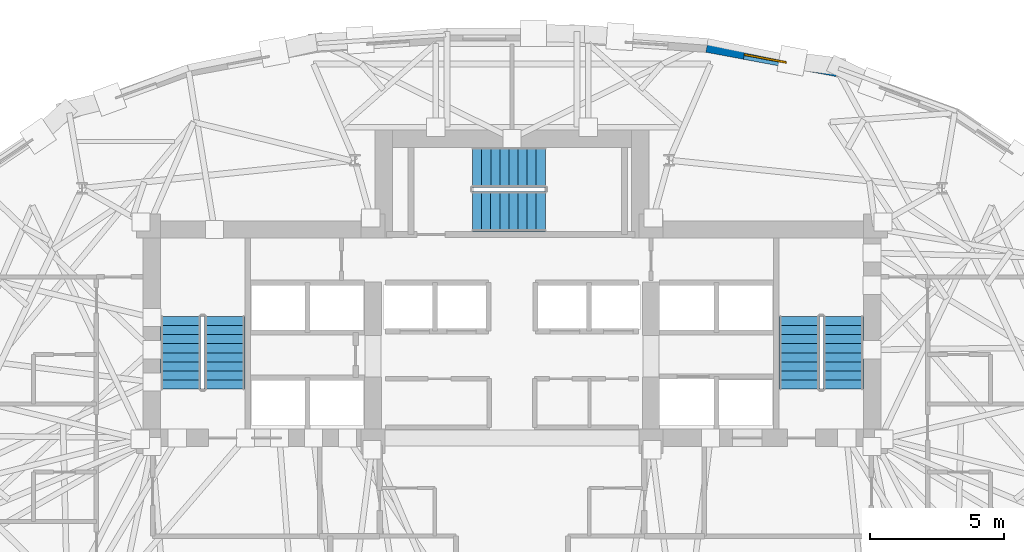
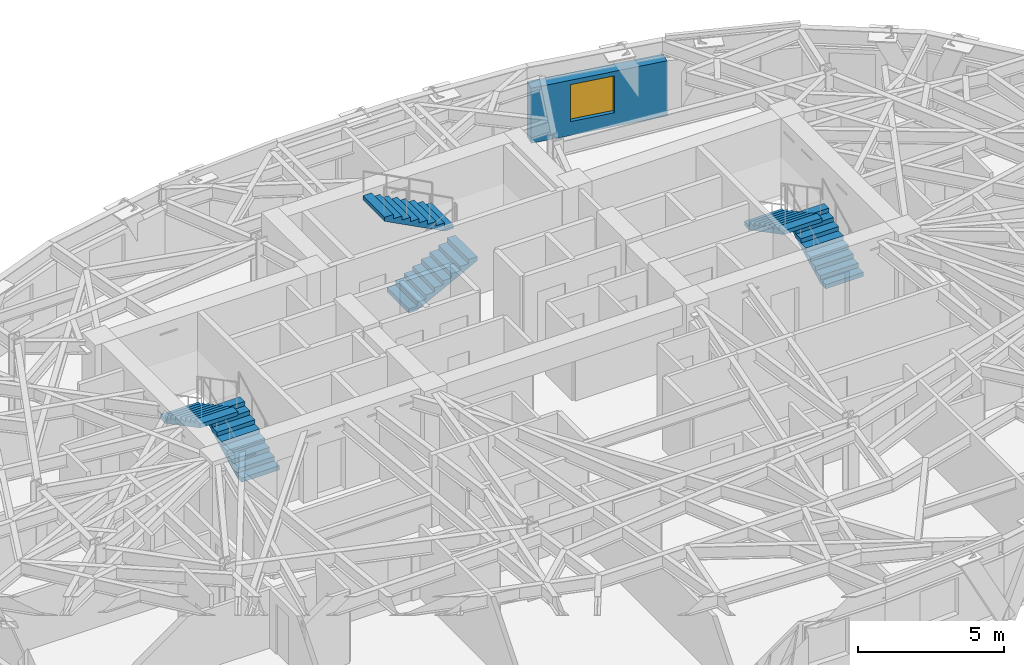
# One storey, part 11 of 15: 6 stair flights, 1 wall, 1 window, 1 opening, 3 elements without a shape of their own.
"""IFC4 building model written with IfcOpenShell, lengths in metres."""

from ifc_helpers import new_model, si_unit, direction, frame, frame_2d, origin, place, context, subcontext, project, spatial, polyline, rectangle, outline, extrude, material, layer, layer_set, type_object, element, fill, aggregate, save


model = new_model("IFC4")

# Units and contexts
model_context = context("Model", 3, precision=1e-05, world=origin(), true_north=direction((0.0, 1.0)))
body_context = subcontext(model_context, "Body", "Model", "MODEL_VIEW")
ifc_project = project(units=[si_unit("LENGTHUNIT", "METRE"), si_unit("AREAUNIT", "SQUARE_METRE"), si_unit("VOLUMEUNIT", "CUBIC_METRE"), si_unit("PLANEANGLEUNIT", "RADIAN"), si_unit("MASSUNIT", "GRAM", prefix="KILO")], contexts=[model_context])

# Site, building, storey
site_placement = place(None, origin())
site = spatial("IfcSite", under=ifc_project, at=site_placement, CompositionType="ELEMENT")
building_placement = place(site_placement, origin())
building = spatial("IfcBuilding", under=site, at=building_placement, Name="Keldmark Tower", CompositionType="ELEMENT")
storey_placement = place(building_placement, frame((0.0, 0.0, 147.0)))
storey = spatial("IfcBuildingStorey", under=building, at=storey_placement, Name="L39", CompositionType="ELEMENT", Elevation=147.0)

# Wall, opening, window
ifc_material_1 = material(Name="Ironspot Manganese Brick and Kasota Buff Limestone Spandrel Assembly", Category="masonry")
ifc_layer = layer(ifc_material_1, 0.43994140625)
ifc_layer_set = layer_set([ifc_layer], Name="Ironspot Manganese Brick and Kasota Buff Limestone Spandrel Assembly")
wall_type = type_object("IfcWallType", Name="Tower Brick Pier and Spandrel Wall 440 mm", PredefinedType="STANDARD", material=ifc_layer_set)
wall_placement = place(storey_placement, frame((7.293212890625, 16.170654296875, 0.0), z_axis=(0.0, 0.0, 1.0), x_axis=(0.98297578121, -0.183735172338, 0.0)))
wall = element("IfcWall", 1, at=wall_placement, inside=storey, type_object=wall_type, Name="L39 Exterior Brick and Spandrel Wall 06", PredefinedType="STANDARD", context=body_context, shape_type="SweptSolid", body=[
    extrude(rectangle(XDim=4.955078125, YDim=0.43994140625, at=frame_2d((2.4775390625, 0.0))), origin(), (0.0, 0.0, 1.0), 2.31494140625),
])
opening_placement = place(wall_placement, frame((1.43115234375, 0.0, 0.580078125)))
opening = element("IfcOpeningElement", 2, at=opening_placement, cuts=wall, Name="Opening W-04", PredefinedType="OPENING", context=body_context, shape_type="SweptSolid", body=[
    extrude(rectangle(XDim=1.60009765625, YDim=1.550048828125, at=frame_2d((0.800048828125, 0.77490234375))), frame((0.0, 0.22998046875, 0.0), z_axis=(0.0, -1.0, 0.0), x_axis=(1.0, 0.0, 0.0)), (0.0, 0.0, 1.0), 0.4599609375),
])
ifc_material_2 = material(Name="Thermally Broken Anodized Aluminum and Triple Low-E Argon Glazing", Category="aluminium")
window_type = type_object("IfcWindowType", Name="Hotel Deep-Set Operable Window 1600x1550", PartitioningType="DOUBLE_PANEL_HORIZONTAL", PredefinedType="WINDOW", material=ifc_material_2)
window_placement = place(opening_placement, origin())
window = element("IfcWindow", 3, at=window_placement, inside=storey, type_object=window_type, Name="L39 Deep-Set Window 06", OverallHeight=1.550048828125, OverallWidth=1.60009765625, PartitioningType="SINGLE_PANEL", PredefinedType="WINDOW", context=body_context, shape_type="SweptSolid", body=[
    extrude(rectangle(XDim=1.60009765625, YDim=1.550048828125, at=frame_2d((0.800048828125, 0.77490234375))), frame((0.0, -0.010009765625, 0.0), z_axis=(0.0, -1.0, 0.0), x_axis=(1.0, 0.0, 0.0)), (0.0, 0.0, 1.0), 0.06005859375),
])
fill(opening, window)

# Stair, stair flights
ifc_material_3 = material(Name="Concrete C40/50", Category="concrete")
stair_type = type_object("IfcStairType", Name="Precast Concrete Core Exit Stair", PredefinedType="HALF_TURN_STAIR", material=ifc_material_3)
stair_1_placement = place(storey_placement, origin())
stair_1 = element("IfcStair", 4, at=stair_1_placement, inside=storey, type_object=stair_type, Name="L39 Exit Stair ST1", PredefinedType="HALF_TURN_STAIR")
ifc_material_4 = material(Name="Concrete C40/50", Category="concrete")
stair_flight_type = type_object("IfcStairFlightType", Name="Precast Concrete Stair Flight 1500 mm", PredefinedType="STRAIGHT", material=ifc_material_4)
stair_flight_1_placement = place(storey_placement, frame((-10.75, 3.35009765625, 0.0), z_axis=(0.0, 0.0, 1.0), x_axis=(0.0, 1.0, 0.0)))
stair_flight_1 = element("IfcStairFlight", 5, at=stair_flight_1_placement, type_object=stair_flight_type, Name="ST1 flight 1", NumberOfRisers=9, NumberOfTreads=8, PredefinedType="STRAIGHT", RiserHeight=0.177777778, TreadLength=0.34, context=body_context, shape_type="SweptSolid", body=[
    extrude(outline(polyline([(0.0, 0.0), (0.0, 0.177734375), (0.340087890625, 0.177734375), (0.340087890625, 0.35546875), (0.679931640625, 0.35546875), (0.679931640625, 0.533447265625), (1.02001953125, 0.533447265625), (1.02001953125, 0.711181640625), (1.360107421875, 0.711181640625), (1.360107421875, 0.888916015625), (1.699951171875, 0.888916015625), (1.699951171875, 1.066650390625), (2.0400390625, 1.066650390625), (2.0400390625, 1.244384765625), (2.3798828125, 1.244384765625), (2.3798828125, 1.422119140625), (2.719970703125, 1.422119140625), (2.719970703125, 1.60009765625), (2.719970703125, 1.253173828125), (0.323486328125, 0.0), (0.0, 0.0)])), frame((0.0, 0.75, 0.0), z_axis=(0.0, -1.0, 0.0), x_axis=(1.0, 0.0, 0.0)), (0.0, 0.0, 1.0), 1.5),
])
stair_flight_2_placement = place(storey_placement, frame((-12.39990234375, 6.070068359375, 1.60009765625), z_axis=(0.0, 0.0, 1.0), x_axis=(0.0, -1.0, 0.0)))
stair_flight_2 = element("IfcStairFlight", 6, at=stair_flight_2_placement, type_object=stair_flight_type, Name="ST1 flight 2", NumberOfRisers=9, NumberOfTreads=8, PredefinedType="STRAIGHT", RiserHeight=0.177777778, TreadLength=0.34, context=body_context, shape_type="SweptSolid", body=[
    extrude(outline(polyline([(0.0, 0.0), (0.0, 0.177734375), (0.340087890625, 0.177734375), (0.340087890625, 0.35546875), (0.679931640625, 0.35546875), (0.679931640625, 0.533447265625), (1.02001953125, 0.533447265625), (1.02001953125, 0.711181640625), (1.360107421875, 0.711181640625), (1.360107421875, 0.888916015625), (1.699951171875, 0.888916015625), (1.699951171875, 1.066650390625), (2.0400390625, 1.066650390625), (2.0400390625, 1.244384765625), (2.3798828125, 1.244384765625), (2.3798828125, 1.422119140625), (2.719970703125, 1.422119140625), (2.719970703125, 1.60009765625), (2.719970703125, 1.253173828125), (0.323486328125, 0.0), (0.0, 0.0)])), frame((0.0, 0.75, 0.0), z_axis=(0.0, -1.0, 0.0), x_axis=(1.0, 0.0, 0.0)), (0.0, 0.0, 1.0), 1.5),
])
aggregate(stair_1, [stair_flight_1, stair_flight_2])

stair_2_placement = place(storey_placement, origin())
stair_2 = element("IfcStair", 7, at=stair_2_placement, inside=storey, type_object=stair_type, Name="L39 Exit Stair ST2", PredefinedType="HALF_TURN_STAIR")
stair_flight_3_placement = place(storey_placement, frame((12.39990234375, 3.35009765625, 0.0), z_axis=(0.0, 0.0, 1.0), x_axis=(0.0, 1.0, 0.0)))
stair_flight_3 = element("IfcStairFlight", 8, at=stair_flight_3_placement, type_object=stair_flight_type, Name="ST2 flight 1", NumberOfRisers=9, NumberOfTreads=8, PredefinedType="STRAIGHT", RiserHeight=0.177777778, TreadLength=0.34, context=body_context, shape_type="SweptSolid", body=[
    extrude(outline(polyline([(0.0, 0.0), (0.0, 0.177734375), (0.340087890625, 0.177734375), (0.340087890625, 0.35546875), (0.679931640625, 0.35546875), (0.679931640625, 0.533447265625), (1.02001953125, 0.533447265625), (1.02001953125, 0.711181640625), (1.360107421875, 0.711181640625), (1.360107421875, 0.888916015625), (1.699951171875, 0.888916015625), (1.699951171875, 1.066650390625), (2.0400390625, 1.066650390625), (2.0400390625, 1.244384765625), (2.3798828125, 1.244384765625), (2.3798828125, 1.422119140625), (2.719970703125, 1.422119140625), (2.719970703125, 1.60009765625), (2.719970703125, 1.253173828125), (0.323486328125, 0.0), (0.0, 0.0)])), frame((0.0, 0.75, 0.0), z_axis=(0.0, -1.0, 0.0), x_axis=(1.0, 0.0, 0.0)), (0.0, 0.0, 1.0), 1.5),
])
stair_flight_4_placement = place(storey_placement, frame((10.75, 6.070068359375, 1.60009765625), z_axis=(0.0, 0.0, 1.0), x_axis=(0.0, -1.0, 0.0)))
stair_flight_4 = element("IfcStairFlight", 9, at=stair_flight_4_placement, type_object=stair_flight_type, Name="ST2 flight 2", NumberOfRisers=9, NumberOfTreads=8, PredefinedType="STRAIGHT", RiserHeight=0.177777778, TreadLength=0.34, context=body_context, shape_type="SweptSolid", body=[
    extrude(outline(polyline([(0.0, 0.0), (0.0, 0.177734375), (0.340087890625, 0.177734375), (0.340087890625, 0.35546875), (0.679931640625, 0.35546875), (0.679931640625, 0.533447265625), (1.02001953125, 0.533447265625), (1.02001953125, 0.711181640625), (1.360107421875, 0.711181640625), (1.360107421875, 0.888916015625), (1.699951171875, 0.888916015625), (1.699951171875, 1.066650390625), (2.0400390625, 1.066650390625), (2.0400390625, 1.244384765625), (2.3798828125, 1.244384765625), (2.3798828125, 1.422119140625), (2.719970703125, 1.422119140625), (2.719970703125, 1.60009765625), (2.719970703125, 1.253173828125), (0.323486328125, 0.0), (0.0, 0.0)])), frame((0.0, 0.75, 0.0), z_axis=(0.0, -1.0, 0.0), x_axis=(1.0, 0.0, 0.0)), (0.0, 0.0, 1.0), 1.5),
])
aggregate(stair_2, [stair_flight_3, stair_flight_4])

stair_3_placement = place(storey_placement, origin())
stair_3 = element("IfcStair", 10, at=stair_3_placement, inside=storey, type_object=stair_type, Name="L39 Exit Stair ST3", PredefinedType="HALF_TURN_STAIR")
stair_flight_5_placement = place(storey_placement, frame((-1.47509765625, 10.0, 0.0), z_axis=(0.0, 0.0, 1.0), x_axis=(1.0, 0.0, 0.0)))
stair_flight_5 = element("IfcStairFlight", 11, at=stair_flight_5_placement, type_object=stair_flight_type, Name="ST3 flight 1", NumberOfRisers=9, NumberOfTreads=8, PredefinedType="STRAIGHT", RiserHeight=0.177777778, TreadLength=0.34, context=body_context, shape_type="SweptSolid", body=[
    extrude(outline(polyline([(0.0, 0.0), (0.0, 0.177734375), (0.340087890625, 0.177734375), (0.340087890625, 0.35546875), (0.679931640625, 0.35546875), (0.679931640625, 0.533447265625), (1.02001953125, 0.533447265625), (1.02001953125, 0.711181640625), (1.360107421875, 0.711181640625), (1.360107421875, 0.888916015625), (1.699951171875, 0.888916015625), (1.699951171875, 1.066650390625), (2.0400390625, 1.066650390625), (2.0400390625, 1.244384765625), (2.3798828125, 1.244384765625), (2.3798828125, 1.422119140625), (2.719970703125, 1.422119140625), (2.719970703125, 1.60009765625), (2.719970703125, 1.253173828125), (0.323486328125, 0.0), (0.0, 0.0)])), frame((0.0, 0.75, 0.0), z_axis=(0.0, -1.0, 0.0), x_axis=(1.0, 0.0, 0.0)), (0.0, 0.0, 1.0), 1.5),
])
stair_flight_6_placement = place(storey_placement, frame((1.2451171875, 11.64990234375, 1.60009765625), z_axis=(0.0, 0.0, 1.0), x_axis=(-1.0, 0.0, 0.0)))
stair_flight_6 = element("IfcStairFlight", 12, at=stair_flight_6_placement, type_object=stair_flight_type, Name="ST3 flight 2", NumberOfRisers=9, NumberOfTreads=8, PredefinedType="STRAIGHT", RiserHeight=0.177777778, TreadLength=0.34, context=body_context, shape_type="SweptSolid", body=[
    extrude(outline(polyline([(0.0, 0.0), (0.0, 0.177734375), (0.340087890625, 0.177734375), (0.340087890625, 0.35546875), (0.679931640625, 0.35546875), (0.679931640625, 0.533447265625), (1.02001953125, 0.533447265625), (1.02001953125, 0.711181640625), (1.360107421875, 0.711181640625), (1.360107421875, 0.888916015625), (1.699951171875, 0.888916015625), (1.699951171875, 1.066650390625), (2.0400390625, 1.066650390625), (2.0400390625, 1.244384765625), (2.3798828125, 1.244384765625), (2.3798828125, 1.422119140625), (2.719970703125, 1.422119140625), (2.719970703125, 1.60009765625), (2.719970703125, 1.253173828125), (0.323486328125, 0.0), (0.0, 0.0)])), frame((0.0, 0.75, 0.0), z_axis=(0.0, -1.0, 0.0), x_axis=(1.0, 0.0, 0.0)), (0.0, 0.0, 1.0), 1.5),
])
aggregate(stair_3, [stair_flight_5, stair_flight_6])

save(model, "model.ifc")
